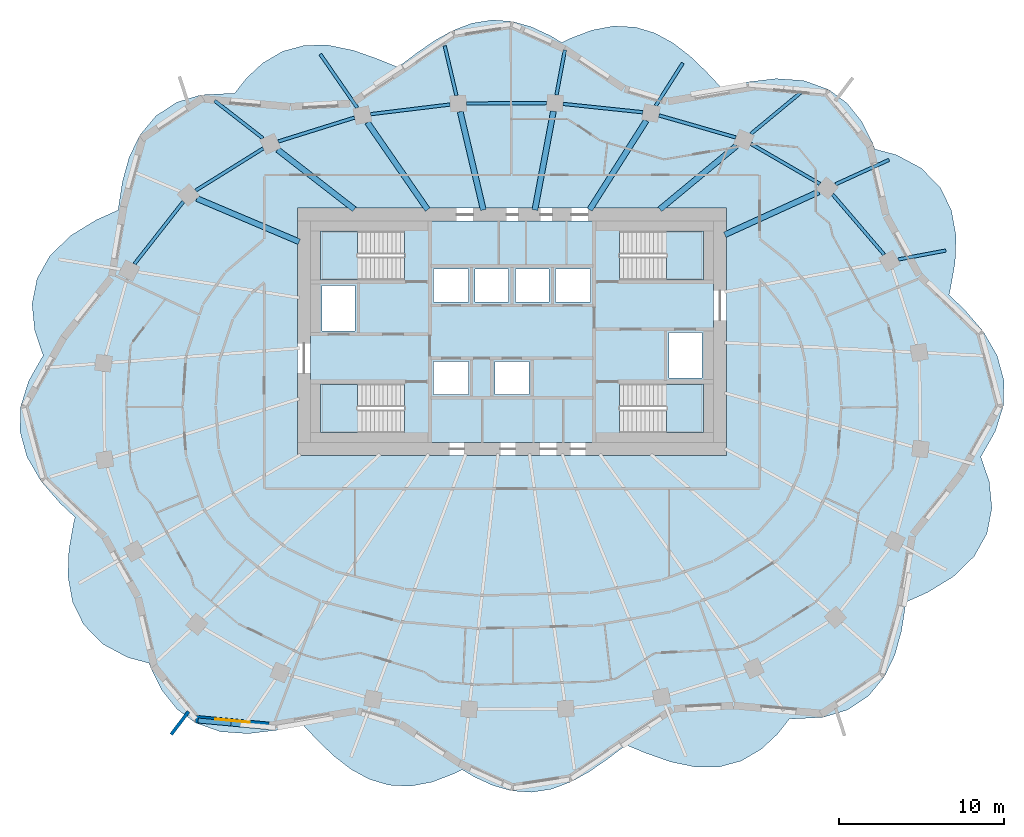
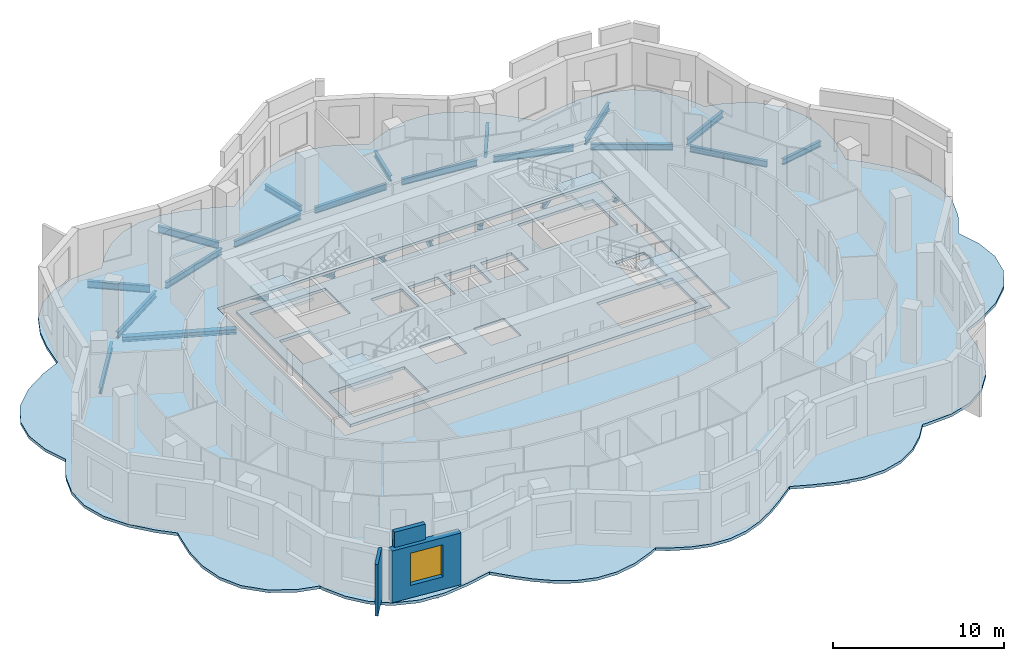
# One storey, part 2 of 11: 25 beams, 6 slabs, 3 walls, 1 window, 1 opening, 4 elements without a shape of their own.
"""IFC4 building model written with IfcOpenShell, lengths in metres."""

from ifc_helpers import new_model, si_unit, direction, frame, frame_2d, origin, origin_2d, place, context, subcontext, project, spatial, polyline, rectangle, i_section, outline, extrude, material, layer, layer_set, material_profile, profile_set, type_object, element, fill, aggregate, save


model = new_model("IFC4")

# Units and contexts
model_context = context("Model", 3, precision=1e-05, world=origin(), true_north=direction((0.0, 1.0)))
body_context = subcontext(model_context, "Body", "Model", "MODEL_VIEW")
ifc_project = project(units=[si_unit("LENGTHUNIT", "METRE"), si_unit("AREAUNIT", "SQUARE_METRE"), si_unit("VOLUMEUNIT", "CUBIC_METRE"), si_unit("PLANEANGLEUNIT", "RADIAN"), si_unit("MASSUNIT", "GRAM", prefix="KILO")], contexts=[model_context])

# Site, building, storey
site_placement = place(None, origin())
site = spatial("IfcSite", under=ifc_project, at=site_placement, CompositionType="ELEMENT")
building_placement = place(site_placement, origin())
building = spatial("IfcBuilding", under=site, at=building_placement, Name="Rubra Terraces Tower", CompositionType="ELEMENT")
storey_placement = place(building_placement, frame((0.0, 0.0, 185.699951171875)))
storey = spatial("IfcBuildingStorey", under=building, at=storey_placement, Name="L45", CompositionType="ELEMENT", Elevation=185.699951171875)

# Beams
ifc_material_1 = material(Name="Steel Q355B", Category="steel")
ifc_material_profile_1 = material_profile(ifc_material_1, i_section(OverallWidth=0.199951171875, OverallDepth=0.39990234375, WebThickness=0.008056640625, FlangeThickness=0.012939453125, at=origin_2d()), Name="HN 400x200x8x13")
ifc_profile_set_1 = profile_set([ifc_material_profile_1], Name="Steel Q355B")
beam_type_1 = type_object("IfcBeamType", Name="CANTILEVER BEAM HN 400x200x8x13", PredefinedType="BEAM", material=ifc_profile_set_1)
beam_1_placement = place(storey_placement, frame((23.39794921875, 8.884033203125, -0.39990234375), z_axis=(0.982856170911, 0.184373933356, 0.0), x_axis=(-0.184373933356, 0.982856170911, 0.0)))
element("IfcBeam", 1, at=beam_1_placement, inside=storey, type_object=beam_type_1, Name="beam-L45-cant-02", PredefinedType="BEAM", context=body_context, shape_type="SweptSolid", body=[
    extrude(i_section(OverallWidth=0.199951171875, OverallDepth=0.39990234375, WebThickness=0.008056640625, FlangeThickness=0.012939453125, at=origin_2d()), origin(), (0.0, 0.0, 1.0), 2.934326171875),
])
beam_2_placement = place(storey_placement, frame((8.7099609375, 18.201904296875, -0.39990234375), z_axis=(0.536555231363, 0.843865204696, 0.0), x_axis=(-0.843865204696, 0.536555231363, 0.0)))
element("IfcBeam", 2, at=beam_2_placement, inside=storey, type_object=beam_type_1, Name="beam-L45-cant-05", PredefinedType="BEAM", context=body_context, shape_type="SweptSolid", body=[
    extrude(i_section(OverallWidth=0.199951171875, OverallDepth=0.39990234375, WebThickness=0.008056640625, FlangeThickness=0.012939453125, at=origin_2d()), origin(), (0.0, 0.0, 1.0), 3.05859375),
])
beam_3_placement = place(storey_placement, frame((2.695068359375, 18.85400390625, -0.39990234375), z_axis=(0.18444283233, 0.982843243657, 0.0), x_axis=(-0.982843243657, 0.18444283233, 0.0)))
element("IfcBeam", 3, at=beam_3_placement, inside=storey, type_object=beam_type_1, Name="beam-L45-cant-06", PredefinedType="BEAM", context=body_context, shape_type="SweptSolid", body=[
    extrude(i_section(OverallWidth=0.199951171875, OverallDepth=0.39990234375, WebThickness=0.008056640625, FlangeThickness=0.012939453125, at=origin_2d()), origin(), (0.0, 0.0, 1.0), 2.7705078125),
])
beam_4_placement = place(storey_placement, frame((-3.3701171875, 18.823974609375, -0.39990234375), z_axis=(-0.229158621159, 0.973389092988, 0.0), x_axis=(-0.973389092988, -0.229158621159, 0.0)))
element("IfcBeam", 4, at=beam_4_placement, inside=storey, type_object=beam_type_1, Name="beam-L45-cant-07", PredefinedType="BEAM", context=body_context, shape_type="SweptSolid", body=[
    extrude(i_section(OverallWidth=0.199951171875, OverallDepth=0.39990234375, WebThickness=0.008056640625, FlangeThickness=0.012939453125, at=origin_2d()), origin(), (0.0, 0.0, 1.0), 3.080078125),
])
ifc_material_profile_2 = material_profile(ifc_material_1, i_section(OverallWidth=0.198974609375, OverallDepth=0.446044921875, WebThickness=0.008056640625, FlangeThickness=0.011962890625, at=origin_2d()), Name="HN 446x199x8x12")
ifc_profile_set_2 = profile_set([ifc_material_profile_2], Name="Steel Q355B")
beam_type_2 = type_object("IfcBeamType", Name="CANTILEVER BEAM HN 446x199x8x12", PredefinedType="BEAM", material=ifc_profile_set_2)
beam_5_placement = place(storey_placement, frame((19.596923828125, 13.43896484375, -0.4228515625), z_axis=(0.909750987553, 0.415154357614, 0.0), x_axis=(-0.415154357614, 0.909750987553, 0.0)))
element("IfcBeam", 5, at=beam_5_placement, inside=storey, type_object=beam_type_2, Name="beam-L45-cant-03", PredefinedType="BEAM", context=body_context, shape_type="SweptSolid", body=[
    extrude(i_section(OverallWidth=0.198974609375, OverallDepth=0.446044921875, WebThickness=0.008056640625, FlangeThickness=0.011962890625, at=origin_2d()), origin(), (0.0, 0.0, 1.0), 3.56494140625),
])
ifc_material_profile_3 = material_profile(ifc_material_1, i_section(OverallWidth=0.198974609375, OverallDepth=0.49609375, WebThickness=0.009033203125, FlangeThickness=0.013916015625, at=origin_2d()), Name="HN 496x199x9x14")
ifc_profile_set_3 = profile_set([ifc_material_profile_3], Name="Steel Q355B")
beam_type_3 = type_object("IfcBeamType", Name="CANTILEVER BEAM HN 496x199x9x14", PredefinedType="BEAM", material=ifc_profile_set_3)
beam_6_placement = place(storey_placement, frame((14.47509765625, 16.4951171875, -0.447998046875), z_axis=(0.770112647774, 0.637907916347, 0.0), x_axis=(-0.637907916347, 0.770112647774, 0.0)))
element("IfcBeam", 6, at=beam_6_placement, inside=storey, type_object=beam_type_3, Name="beam-L45-cant-04", PredefinedType="BEAM", context=body_context, shape_type="SweptSolid", body=[
    extrude(i_section(OverallWidth=0.198974609375, OverallDepth=0.49609375, WebThickness=0.009033203125, FlangeThickness=0.013916015625, at=origin_2d()), origin(), (0.0, 0.0, 1.0), 3.949951171875),
])
beam_7_placement = place(storey_placement, frame((-9.3701171875, 18.070068359375, -0.447998046875), z_axis=(-0.568216621414, 0.822879013676, 0.0), x_axis=(-0.822879013676, -0.568216621414, 0.0)))
element("IfcBeam", 7, at=beam_7_placement, inside=storey, type_object=beam_type_3, Name="beam-L45-cant-08", PredefinedType="BEAM", context=body_context, shape_type="SweptSolid", body=[
    extrude(i_section(OverallWidth=0.198974609375, OverallDepth=0.49609375, WebThickness=0.009033203125, FlangeThickness=0.013916015625, at=origin_2d()), origin(), (0.0, 0.0, 1.0), 3.95068359375),
])
beam_8_placement = place(storey_placement, frame((-15.087890625, 16.22705078125, -0.447998046875), z_axis=(-0.789596931968, 0.613625851009, 0.0), x_axis=(-0.613625851009, -0.789596931968, 0.0)))
element("IfcBeam", 8, at=beam_8_placement, inside=storey, type_object=beam_type_3, Name="beam-L45-cant-09", PredefinedType="BEAM", context=body_context, shape_type="SweptSolid", body=[
    extrude(i_section(OverallWidth=0.198974609375, OverallDepth=0.49609375, WebThickness=0.009033203125, FlangeThickness=0.013916015625, at=origin_2d()), origin(), (0.0, 0.0, 1.0), 3.705810546875),
])
ifc_material_profile_4 = material_profile(ifc_material_1, i_section(OverallWidth=0.35009765625, OverallDepth=0.35009765625, WebThickness=0.011962890625, FlangeThickness=0.01904296875, at=origin_2d()), Name="HW 350x350x12x19")
ifc_profile_set_4 = profile_set([ifc_material_profile_4], Name="Steel Q355B")
beam_type_4 = type_object("IfcBeamType", Name="FLOOR BEAM HW 350x350x12x19", PredefinedType="BEAM", material=ifc_profile_set_4)
beam_9_placement = place(storey_placement, frame((18.5869140625, 12.97900390625, -0.375), z_axis=(-0.909756526533, -0.415142219523, 0.0), x_axis=(0.415142219523, -0.909756526533, 0.0)))
element("IfcBeam", 9, at=beam_9_placement, inside=storey, type_object=beam_type_4, Name="beam-L45-floor-03", PredefinedType="BEAM", context=body_context, shape_type="SweptSolid", body=[
    extrude(i_section(OverallWidth=0.35009765625, OverallDepth=0.35009765625, WebThickness=0.011962890625, FlangeThickness=0.01904296875, at=origin_2d()), origin(), (0.0, 0.0, 1.0), 6.2607421875),
])
beam_10_placement = place(storey_placement, frame((13.60888671875, 15.777099609375, -0.375), z_axis=(-0.769987518392, -0.638058948312, 0.0), x_axis=(0.638058948312, -0.769987518392, 0.0)))
element("IfcBeam", 10, at=beam_10_placement, inside=storey, type_object=beam_type_4, Name="beam-L45-floor-04", PredefinedType="BEAM", context=body_context, shape_type="SweptSolid", body=[
    extrude(i_section(OverallWidth=0.35009765625, OverallDepth=0.35009765625, WebThickness=0.011962890625, FlangeThickness=0.01904296875, at=origin_2d()), origin(), (0.0, 0.0, 1.0), 6.040283203125),
])
beam_11_placement = place(storey_placement, frame((8.134033203125, 17.2958984375, -0.375), z_axis=(-0.536509861106, -0.843894050776, 0.0), x_axis=(0.843894050776, -0.536509861106, 0.0)))
element("IfcBeam", 11, at=beam_11_placement, inside=storey, type_object=beam_type_4, Name="beam-L45-floor-05", PredefinedType="BEAM", context=body_context, shape_type="SweptSolid", body=[
    extrude(i_section(OverallWidth=0.35009765625, OverallDepth=0.35009765625, WebThickness=0.011962890625, FlangeThickness=0.01904296875, at=origin_2d()), origin(), (0.0, 0.0, 1.0), 6.395263671875),
])
beam_12_placement = place(storey_placement, frame((2.509033203125, 17.862060546875, -0.375), z_axis=(-0.184574398021, -0.982818544593, 0.0), x_axis=(0.982818544593, -0.184574398021, 0.0)))
element("IfcBeam", 12, at=beam_12_placement, inside=storey, type_object=beam_type_4, Name="beam-L45-floor-06", PredefinedType="BEAM", context=body_context, shape_type="SweptSolid", body=[
    extrude(i_section(OverallWidth=0.35009765625, OverallDepth=0.35009765625, WebThickness=0.011962890625, FlangeThickness=0.01904296875, at=origin_2d()), origin(), (0.0, 0.0, 1.0), 6.08447265625),
])
beam_13_placement = place(storey_placement, frame((-3.137939453125, 17.8359375, -0.375), z_axis=(0.229070485592, -0.973409837957, 0.0), x_axis=(0.973409837957, 0.229070485592, 0.0)))
element("IfcBeam", 13, at=beam_13_placement, inside=storey, type_object=beam_type_4, Name="beam-L45-floor-07", PredefinedType="BEAM", context=body_context, shape_type="SweptSolid", body=[
    extrude(i_section(OverallWidth=0.35009765625, OverallDepth=0.35009765625, WebThickness=0.011962890625, FlangeThickness=0.01904296875, at=origin_2d()), origin(), (0.0, 0.0, 1.0), 6.115478515625),
])
beam_14_placement = place(storey_placement, frame((-8.756103515625, 17.179931640625, -0.375), z_axis=(0.568186422001, -0.822899866238, 0.0), x_axis=(0.822899866238, 0.568186422001, 0.0)))
element("IfcBeam", 14, at=beam_14_placement, inside=storey, type_object=beam_type_4, Name="beam-L45-floor-08", PredefinedType="BEAM", context=body_context, shape_type="SweptSolid", body=[
    extrude(i_section(OverallWidth=0.35009765625, OverallDepth=0.35009765625, WebThickness=0.011962890625, FlangeThickness=0.01904296875, at=origin_2d()), origin(), (0.0, 0.0, 1.0), 6.415283203125),
])
beam_15_placement = place(storey_placement, frame((-14.197998046875, 15.534912109375, -0.375), z_axis=(0.789548898228, -0.613687654517, 0.0), x_axis=(0.613687654517, 0.789548898228, 0.0)))
element("IfcBeam", 15, at=beam_15_placement, inside=storey, type_object=beam_type_4, Name="beam-L45-floor-09", PredefinedType="BEAM", context=body_context, shape_type="SweptSolid", body=[
    extrude(i_section(OverallWidth=0.35009765625, OverallDepth=0.35009765625, WebThickness=0.011962890625, FlangeThickness=0.01904296875, at=origin_2d()), origin(), (0.0, 0.0, 1.0), 5.880615234375),
])
beam_16_placement = place(storey_placement, frame((-19.083984375, 12.574951171875, -0.375), z_axis=(0.92097476483, -0.38962223056, 0.0), x_axis=(0.38962223056, 0.92097476483, 0.0)))
element("IfcBeam", 16, at=beam_16_placement, inside=storey, type_object=beam_type_4, Name="beam-L45-floor-10", PredefinedType="BEAM", context=body_context, shape_type="SweptSolid", body=[
    extrude(i_section(OverallWidth=0.35009765625, OverallDepth=0.35009765625, WebThickness=0.011962890625, FlangeThickness=0.01904296875, at=origin_2d()), origin(), (0.0, 0.0, 1.0), 6.7265625),
])
ifc_material_profile_5 = material_profile(ifc_material_1, i_section(OverallWidth=0.198974609375, OverallDepth=0.446044921875, WebThickness=0.008056640625, FlangeThickness=0.011962890625, at=origin_2d()), Name="HN 446x199x8x12")
ifc_profile_set_5 = profile_set([ifc_material_profile_5], Name="Steel Q355B")
beam_type_5 = type_object("IfcBeamType", Name="SPANDREL BEAM HN 446x199x8x12", PredefinedType="SPANDREL", material=ifc_profile_set_5)
beam_17_placement = place(storey_placement, frame((22.547119140625, 9.174072265625, -0.4228515625), z_axis=(-0.650372836218, 0.759615148552, 0.0), x_axis=(-0.759615148552, -0.650372836218, 0.0)))
element("IfcBeam", 17, at=beam_17_placement, inside=storey, type_object=beam_type_5, Name="beam-L45-spandrel-02", PredefinedType="SPANDREL", context=body_context, shape_type="SweptSolid", body=[
    extrude(i_section(OverallWidth=0.198974609375, OverallDepth=0.446044921875, WebThickness=0.008056640625, FlangeThickness=0.011962890625, at=origin_2d()), origin(), (0.0, 0.0, 1.0), 4.804931640625),
])
beam_18_placement = place(storey_placement, frame((18.653076171875, 13.462890625, -0.4228515625), z_axis=(-0.865153680787, 0.501506838059, 0.0), x_axis=(-0.501506838059, -0.865153680787, 0.0)))
element("IfcBeam", 18, at=beam_18_placement, inside=storey, type_object=beam_type_5, Name="beam-L45-spandrel-03", PredefinedType="SPANDREL", context=body_context, shape_type="SweptSolid", body=[
    extrude(i_section(OverallWidth=0.198974609375, OverallDepth=0.446044921875, WebThickness=0.008056640625, FlangeThickness=0.011962890625, at=origin_2d()), origin(), (0.0, 0.0, 1.0), 4.82568359375),
])
beam_19_placement = place(storey_placement, frame((13.55810546875, 16.27490234375, -0.4228515625), z_axis=(-0.961171164323, 0.275952881621, 0.0), x_axis=(-0.275952881621, -0.961171164323, 0.0)))
element("IfcBeam", 19, at=beam_19_placement, inside=storey, type_object=beam_type_5, Name="beam-L45-spandrel-04", PredefinedType="SPANDREL", context=body_context, shape_type="SweptSolid", body=[
    extrude(i_section(OverallWidth=0.198974609375, OverallDepth=0.446044921875, WebThickness=0.008056640625, FlangeThickness=0.011962890625, at=origin_2d()), origin(), (0.0, 0.0, 1.0), 4.842041015625),
])
beam_20_placement = place(storey_placement, frame((7.923095703125, 17.801025390625, -0.4228515625), z_axis=(-0.994565426955, 0.104113454971, 0.0), x_axis=(-0.104113454971, -0.994565426955, 0.0)))
element("IfcBeam", 20, at=beam_20_placement, inside=storey, type_object=beam_type_5, Name="beam-L45-spandrel-05", PredefinedType="SPANDREL", context=body_context, shape_type="SweptSolid", body=[
    extrude(i_section(OverallWidth=0.198974609375, OverallDepth=0.446044921875, WebThickness=0.008056640625, FlangeThickness=0.011962890625, at=origin_2d()), origin(), (0.0, 0.0, 1.0), 4.849365234375),
])
beam_21_placement = place(storey_placement, frame((2.10107421875, 18.35595703125, -0.4228515625), z_axis=(-0.999987852299, -0.004929021704, 0.0), x_axis=(0.004929021704, -0.999987852299, 0.0)))
element("IfcBeam", 21, at=beam_21_placement, inside=storey, type_object=beam_type_5, Name="beam-L45-spandrel-06", PredefinedType="SPANDREL", context=body_context, shape_type="SweptSolid", body=[
    extrude(i_section(OverallWidth=0.198974609375, OverallDepth=0.446044921875, WebThickness=0.008056640625, FlangeThickness=0.011962890625, at=origin_2d()), origin(), (0.0, 0.0, 1.0), 4.85400390625),
])
beam_22_placement = place(storey_placement, frame((-3.7509765625, 18.27001953125, -0.4228515625), z_axis=(-0.992698018573, -0.120626049929, 0.0), x_axis=(0.120626049929, -0.992698018573, 0.0)))
element("IfcBeam", 22, at=beam_22_placement, inside=storey, type_object=beam_type_5, Name="beam-L45-spandrel-07", PredefinedType="SPANDREL", context=body_context, shape_type="SweptSolid", body=[
    extrude(i_section(OverallWidth=0.198974609375, OverallDepth=0.446044921875, WebThickness=0.008056640625, FlangeThickness=0.011962890625, at=origin_2d()), origin(), (0.0, 0.0, 1.0), 4.849365234375),
])
beam_23_placement = place(storey_placement, frame((-9.5419921875, 17.47509765625, -0.4228515625), z_axis=(-0.954462027342, -0.298332429282, 0.0), x_axis=(0.298332429282, -0.954462027342, 0.0)))
element("IfcBeam", 23, at=beam_23_placement, inside=storey, type_object=beam_type_5, Name="beam-L45-spandrel-08", PredefinedType="SPANDREL", context=body_context, shape_type="SweptSolid", body=[
    extrude(i_section(OverallWidth=0.198974609375, OverallDepth=0.446044921875, WebThickness=0.008056640625, FlangeThickness=0.011962890625, at=origin_2d()), origin(), (0.0, 0.0, 1.0), 4.840576171875),
])
beam_24_placement = place(storey_placement, frame((-15.071044921875, 15.614013671875, -0.4228515625), z_axis=(-0.848183088492, -0.529703170083, 0.0), x_axis=(0.529703170083, -0.848183088492, 0.0)))
element("IfcBeam", 24, at=beam_24_placement, inside=storey, type_object=beam_type_5, Name="beam-L45-spandrel-09", PredefinedType="SPANDREL", context=body_context, shape_type="SweptSolid", body=[
    extrude(i_section(OverallWidth=0.198974609375, OverallDepth=0.446044921875, WebThickness=0.008056640625, FlangeThickness=0.011962890625, at=origin_2d()), origin(), (0.0, 0.0, 1.0), 4.8232421875),
])
beam_25_placement = place(storey_placement, frame((-19.906005859375, 12.39111328125, -0.4228515625), z_axis=(-0.617060338015, -0.786915840004, 0.0), x_axis=(0.786915840004, -0.617060338015, 0.0)))
element("IfcBeam", 25, at=beam_25_placement, inside=storey, type_object=beam_type_5, Name="beam-L45-spandrel-10", PredefinedType="SPANDREL", context=body_context, shape_type="SweptSolid", body=[
    extrude(i_section(OverallWidth=0.198974609375, OverallDepth=0.446044921875, WebThickness=0.008056640625, FlangeThickness=0.011962890625, at=origin_2d()), origin(), (0.0, 0.0, 1.0), 4.8037109375),
])

# Slab
ifc_material_2 = material(Name="Concrete C40", Category="concrete")
ifc_layer_1 = layer(ifc_material_2, 0.199951171875)
ifc_layer_set_1 = layer_set([ifc_layer_1], Name="Concrete C40")
slab_type_1 = type_object("IfcSlabType", Name="Core floor slab 200 concrete", PredefinedType="FLOOR", material=ifc_layer_set_1)
slab_1_placement = place(storey_placement, frame((0.0, 0.0, -0.199951171875)))
element("IfcSlab", 26, at=slab_1_placement, inside=storey, type_object=slab_type_1, Name="CORE FLOOR SLAB L45", PredefinedType="FLOOR", context=body_context, shape_type="SweptSolid", body=[
    extrude(outline(polyline([(-12.199951171875, -2.199951171875), (-12.199951171875, 11.199951171875), (12.199951171875, 11.199951171875), (12.199951171875, -2.199951171875), (-12.199951171875, -2.199951171875)]), holes=[polyline([(11.597900390625, 1.347900390625), (6.501953125, 1.347900390625), (6.501953125, -1.597900390625), (11.597900390625, -1.597900390625), (11.597900390625, 1.347900390625)]), polyline([(11.597900390625, 7.652099609375), (11.597900390625, 10.597900390625), (6.501953125, 10.597900390625), (6.501953125, 7.652099609375), (11.597900390625, 7.652099609375)]), polyline([(9.5, 1.699951171875), (11.5, 1.699951171875), (11.5, 4.449951171875), (9.5, 4.449951171875), (9.5, 1.699951171875)]), polyline([(4.75, 6.300048828125), (4.75, 8.300048828125), (2.64990234375, 8.300048828125), (2.64990234375, 6.300048828125), (4.75, 6.300048828125)]), polyline([(2.25, 8.300048828125), (0.199951171875, 8.300048828125), (0.199951171875, 6.300048828125), (2.25, 6.300048828125), (2.25, 8.300048828125)]), polyline([(1.02490234375, 0.699951171875), (1.02490234375, 2.699951171875), (-1.02490234375, 2.699951171875), (-1.02490234375, 0.699951171875), (1.02490234375, 0.699951171875)]), polyline([(-0.199951171875, 6.300048828125), (-0.199951171875, 8.300048828125), (-2.25, 8.300048828125), (-2.25, 6.300048828125), (-0.199951171875, 6.300048828125)]), polyline([(-4.75, 8.300048828125), (-4.75, 6.300048828125), (-2.64990234375, 6.300048828125), (-2.64990234375, 8.300048828125), (-4.75, 8.300048828125)]), polyline([(-2.64990234375, 0.699951171875), (-2.64990234375, 2.699951171875), (-4.75, 2.699951171875), (-4.75, 0.699951171875), (-2.64990234375, 0.699951171875)]), polyline([(-11.597900390625, -1.597900390625), (-6.501953125, -1.597900390625), (-6.501953125, 1.347900390625), (-11.597900390625, 1.347900390625), (-11.597900390625, -1.597900390625)]), polyline([(-11.597900390625, 10.597900390625), (-11.597900390625, 7.652099609375), (-6.501953125, 7.652099609375), (-6.501953125, 10.597900390625), (-11.597900390625, 10.597900390625)]), polyline([(-9.5, 4.550048828125), (-9.5, 7.300048828125), (-11.5, 7.300048828125), (-11.5, 4.550048828125), (-9.5, 4.550048828125)])]), origin(), (0.0, 0.0, 1.0), 0.199951171875),
])

# Stair, slab
stair_type = type_object("IfcStairType", Name="Core stair 1400", PredefinedType="HALF_TURN_STAIR", material=ifc_material_2)
stair_1_placement = place(storey_placement, origin())
stair_1 = element("IfcStair", 27, at=stair_1_placement, inside=storey, type_object=stair_type, Name="L45 Exit stair S1", PredefinedType="HALF_TURN_STAIR")
ifc_layer_2 = layer(ifc_material_2, 0.199951171875)
ifc_layer_set_2 = layer_set([ifc_layer_2], Name="Concrete C40")
slab_type_2 = type_object("IfcSlabType", Name="Core stair landing 200", PredefinedType="LANDING", material=ifc_layer_set_2)
slab_2_placement = place(storey_placement, frame((0.0, 0.0, 1.75)))
slab_2 = element("IfcSlab", 28, at=slab_2_placement, type_object=slab_type_2, Name="S1 landing 1", PredefinedType="LANDING", context=body_context, shape_type="SweptSolid", body=[
    extrude(outline(polyline([(-8.97998046875, -0.199951171875), (-8.97998046875, -1.60009765625), (-9.360107421875, -1.60009765625), (-9.3798828125, -1.60009765625), (-11.60009765625, -1.60009765625), (-11.60009765625, 1.35009765625), (-9.3798828125, 1.35009765625), (-9.35791015625, 1.35009765625), (-9.35791015625, -0.050048828125), (-9.360107421875, -0.050048828125), (-9.360107421875, -0.199951171875), (-8.97998046875, -0.199951171875)])), origin(), (0.0, 0.0, 1.0), 0.199951171875),
])
aggregate(stair_1, [slab_2])

stair_2_placement = place(storey_placement, origin())
stair_2 = element("IfcStair", 29, at=stair_2_placement, inside=storey, type_object=stair_type, Name="L45 Exit stair S2", PredefinedType="HALF_TURN_STAIR")
slab_3_placement = place(storey_placement, frame((0.0, 0.0, 1.75)))
slab_3 = element("IfcSlab", 30, at=slab_3_placement, type_object=slab_type_2, Name="S2 landing 1", PredefinedType="LANDING", context=body_context, shape_type="SweptSolid", body=[
    extrude(outline(polyline([(-8.97998046875, 9.050048828125), (-8.97998046875, 7.64990234375), (-9.3798828125, 7.64990234375), (-11.60009765625, 7.64990234375), (-11.60009765625, 10.60009765625), (-9.3798828125, 10.60009765625), (-9.360107421875, 10.60009765625), (-9.35791015625, 10.60009765625), (-9.35791015625, 9.199951171875), (-9.360107421875, 9.199951171875), (-9.360107421875, 9.050048828125), (-8.97998046875, 9.050048828125)])), origin(), (0.0, 0.0, 1.0), 0.199951171875),
])
aggregate(stair_2, [slab_3])

stair_3_placement = place(storey_placement, origin())
stair_3 = element("IfcStair", 31, at=stair_3_placement, inside=storey, type_object=stair_type, Name="L45 Exit stair S3", PredefinedType="HALF_TURN_STAIR")
slab_4_placement = place(storey_placement, frame((0.0, 0.0, 1.75)))
slab_4 = element("IfcSlab", 32, at=slab_4_placement, type_object=slab_type_2, Name="S3 landing 1", PredefinedType="LANDING", context=body_context, shape_type="SweptSolid", body=[
    extrude(outline(polyline([(9.360107421875, 9.050048828125), (9.360107421875, 9.199951171875), (8.97998046875, 9.199951171875), (8.97998046875, 10.60009765625), (9.360107421875, 10.60009765625), (9.3798828125, 10.60009765625), (11.60009765625, 10.60009765625), (11.60009765625, 7.64990234375), (9.3798828125, 7.64990234375), (9.35791015625, 7.64990234375), (9.35791015625, 9.050048828125), (9.360107421875, 9.050048828125)])), origin(), (0.0, 0.0, 1.0), 0.199951171875),
])
aggregate(stair_3, [slab_4])

stair_4_placement = place(storey_placement, origin())
stair_4 = element("IfcStair", 33, at=stair_4_placement, inside=storey, type_object=stair_type, Name="L45 Exit stair S4", PredefinedType="HALF_TURN_STAIR")
slab_5_placement = place(storey_placement, frame((0.0, 0.0, 1.75)))
slab_5 = element("IfcSlab", 34, at=slab_5_placement, type_object=slab_type_2, Name="S4 landing 1", PredefinedType="LANDING", context=body_context, shape_type="SweptSolid", body=[
    extrude(outline(polyline([(9.360107421875, -0.199951171875), (9.360107421875, -0.050048828125), (8.97998046875, -0.050048828125), (8.97998046875, 1.35009765625), (9.360107421875, 1.35009765625), (9.3798828125, 1.35009765625), (11.60009765625, 1.35009765625), (11.60009765625, -1.60009765625), (9.3798828125, -1.60009765625), (9.360107421875, -1.60009765625), (9.35791015625, -1.60009765625), (9.35791015625, -0.199951171875), (9.360107421875, -0.199951171875)])), origin(), (0.0, 0.0, 1.0), 0.199951171875),
])
aggregate(stair_4, [slab_5])

# Slab
ifc_layer_3 = layer(ifc_material_2, 0.199951171875)
ifc_layer_set_3 = layer_set([ifc_layer_3], Name="Concrete C40")
slab_type_3 = type_object("IfcSlabType", Name="FLOOR SLAB 200 COMPOSITE", PredefinedType="FLOOR", material=ifc_layer_set_3)
slab_6_placement = place(storey_placement, frame((0.0, 0.0, -0.199951171875)))
element("IfcSlab", 35, at=slab_6_placement, inside=storey, type_object=slab_type_3, Name="FLOOR SLAB L45", PredefinedType="FLOOR", context=body_context, shape_type="SweptSolid", body=[
    extrude(outline(polyline([(23.280029296875, 15.22412109375), (21.97509765625, 15.571044921875), (21.8701171875, 15.889892578125), (21.199951171875, 17.222900390625), (20.301025390625, 18.346923828125), (19.179931640625, 19.179931640625), (17.657958984375, 19.72412109375), (15.985107421875, 19.839111328125), (14.263916015625, 19.633056640625), (12.676025390625, 19.2939453125), (12.596923828125, 19.3779296875), (11.72509765625, 20.303955078125), (10.798095703125, 21.19189453125), (9.7509765625, 22.001953125), (8.634033203125, 22.60888671875), (7.4599609375, 22.958984375), (6.156982421875, 23.02197265625), (4.837890625, 22.77490234375), (3.528076171875, 22.27490234375), (3.02392578125, 22.01708984375), (2.31591796875, 22.444091796875), (1.162109375, 22.97900390625), (0.0, 23.306884765625), (-1.201904296875, 23.389892578125), (-2.408935546875, 23.197998046875), (-3.60302734375, 22.7470703125), (-4.675048828125, 22.14794921875), (-5.714111328125, 21.43408203125), (-6.718017578125, 20.675048828125), (-7.68701171875, 19.948974609375), (-6.9130859375, 20.529052734375), (-8.09912109375, 21.01806640625), (-9.613037109375, 21.552001953125), (-11.14208984375, 21.866943359375), (-12.552978515625, 21.85595703125), (-13.886962890625, 21.4951171875), (-15.10009765625, 20.782958984375), (-16.069091796875, 19.883056640625), (-16.824951171875, 18.924072265625), (-15.18798828125, 18.7509765625), (-17.028076171875, 18.945068359375), (-18.85009765625, 18.85009765625), (-20.320068359375, 18.403076171875), (-21.5791015625, 17.572998046875), (-22.55908203125, 16.389892578125), (-23.196044921875, 15.06103515625), (-23.595947265625, 13.60791015625), (-23.824951171875, 12.139892578125), (-23.85400390625, 11.8759765625), (-25.175048828125, 11.283935546875), (-26.72509765625, 10.337890625), (-28.0, 9.097900390625), (-28.77099609375, 7.715087890625), (-29.072021484375, 6.176025390625), (-28.912109375, 4.5791015625), (-28.39599609375, 3.05810546875), (-28.449951171875, 2.988037109375), (-29.281982421875, 1.51904296875), (-29.757080078125, 0.0), (-29.802978515625, -1.535888671875), (-29.383056640625, -3.072021484375), (-28.547119140625, -4.52099609375), (-27.39111328125, -5.866943359375), (-26.471923828125, -6.73095703125), (-26.551025390625, -7.068115234375), (-26.843994140625, -8.721923828125), (-26.89794921875, -10.322021484375), (-26.618896484375, -11.860107421875), (-25.9541015625, -13.22412109375), (-24.791015625, -14.4169921875), (-23.280029296875, -15.22412109375), (-21.97509765625, -15.571044921875), (-21.8701171875, -15.889892578125), (-21.199951171875, -17.222900390625), (-20.301025390625, -18.346923828125), (-19.179931640625, -19.179931640625), (-17.657958984375, -19.72412109375), (-15.985107421875, -19.839111328125), (-14.263916015625, -19.633056640625), (-12.676025390625, -19.2939453125), (-12.596923828125, -19.3779296875), (-11.72509765625, -20.303955078125), (-10.798095703125, -21.19189453125), (-9.7509765625, -22.001953125), (-8.634033203125, -22.60888671875), (-7.4599609375, -22.958984375), (-6.156982421875, -23.02197265625), (-4.837890625, -22.77490234375), (-3.528076171875, -22.27490234375), (-3.02392578125, -22.01708984375), (-2.31591796875, -22.444091796875), (-1.162109375, -22.97900390625), (0.0, -23.306884765625), (1.201904296875, -23.389892578125), (2.408935546875, -23.197998046875), (3.60302734375, -22.7470703125), (4.675048828125, -22.14794921875), (5.714111328125, -21.43408203125), (6.718017578125, -20.675048828125), (7.68701171875, -19.948974609375), (6.9130859375, -20.529052734375), (8.09912109375, -21.01806640625), (9.613037109375, -21.552001953125), (11.14208984375, -21.866943359375), (12.552978515625, -21.85595703125), (13.886962890625, -21.4951171875), (15.10009765625, -20.782958984375), (16.069091796875, -19.883056640625), (16.824951171875, -18.924072265625), (15.18798828125, -18.7509765625), (17.028076171875, -18.945068359375), (18.85009765625, -18.85009765625), (20.320068359375, -18.403076171875), (21.5791015625, -17.572998046875), (22.55908203125, -16.389892578125), (23.196044921875, -15.06103515625), (23.595947265625, -13.60791015625), (23.824951171875, -12.139892578125), (23.85400390625, -11.8759765625), (25.175048828125, -11.283935546875), (26.72509765625, -10.337890625), (28.0, -9.097900390625), (28.77099609375, -7.715087890625), (29.072021484375, -6.176025390625), (28.912109375, -4.5791015625), (28.39599609375, -3.05810546875), (28.449951171875, -2.988037109375), (29.281982421875, -1.51904296875), (29.757080078125, 0.0), (29.802978515625, 1.535888671875), (29.383056640625, 3.072021484375), (28.547119140625, 4.52099609375), (27.39111328125, 5.866943359375), (26.471923828125, 6.73095703125), (26.551025390625, 7.068115234375), (26.843994140625, 8.721923828125), (26.89794921875, 10.322021484375), (26.618896484375, 11.860107421875), (25.9541015625, 13.22412109375), (24.791015625, 14.4169921875), (23.280029296875, 15.22412109375)]), holes=[polyline([(13.0, 12.0), (13.0, -3.0), (-13.0, -3.0), (-13.0, 12.0), (13.0, 12.0)])]), origin(), (0.0, 0.0, 1.0), 0.199951171875),
])

# Wall, opening, window
ifc_material_3 = material(Name="Brick masonry red-brown", Category="masonry")
ifc_layer_4 = layer(ifc_material_3, 0.449951171875)
ifc_layer_set_4 = layer_set([ifc_layer_4], Name="Brick masonry red-brown")
wall_type_1 = type_object("IfcWallType", Name="Brick facade wall 450", PredefinedType="SOLIDWALL", material=ifc_layer_set_4)
wall_1_placement = place(storey_placement, frame((-19.1591796875, -18.955810546875, 0.0), z_axis=(0.0, 0.0, 1.0), x_axis=(0.995777399421, -0.091800712424, 0.0)))
wall_1 = element("IfcWall", 36, at=wall_1_placement, inside=storey, type_object=wall_type_1, Name="Facade wall L45 bay 26", PredefinedType="SOLIDWALL", context=body_context, shape_type="SweptSolid", body=[
    extrude(rectangle(XDim=4.45458984375, YDim=0.449951171875, at=frame_2d((2.227294921875, 0.0))), origin(), (0.0, 0.0, 1.0), 3.699951171875),
])
opening_placement = place(wall_1_placement, frame((1.177490234375, 0.0, 0.89990234375)))
opening = element("IfcOpeningElement", 37, at=opening_placement, cuts=wall_1, Name="Opening W1B", PredefinedType="OPENING", context=body_context, shape_type="SweptSolid", body=[
    extrude(rectangle(XDim=2.10009765625, YDim=2.300048828125, at=frame_2d((1.050048828125, 1.14990234375))), frame((0.0, 0.23486328125, 0.0), z_axis=(0.0, -1.0, 0.0), x_axis=(1.0, 0.0, 0.0)), (0.0, 0.0, 1.0), 0.469970703125),
])
ifc_material_4 = material(Name="Clear glass in aluminium frame", Category="aluminium")
window_type = type_object("IfcWindowType", Name="Fixed deep-set window tall storey 2100 x 2300", PartitioningType="SINGLE_PANEL", PredefinedType="WINDOW", material=ifc_material_4)
window_placement = place(opening_placement, origin())
window = element("IfcWindow", 38, at=window_placement, inside=storey, type_object=window_type, Name="Window L45 bay 26", OverallHeight=2.300048828125, OverallWidth=2.10009765625, PartitioningType="SINGLE_PANEL", PredefinedType="WINDOW", context=body_context, shape_type="SweptSolid", body=[
    extrude(rectangle(XDim=2.10009765625, YDim=2.300048828125, at=frame_2d((1.050048828125, 1.14990234375))), frame((0.0, 0.135009765625, 0.0), z_axis=(0.0, -1.0, 0.0), x_axis=(1.0, 0.0, 0.0)), (0.0, 0.0, 1.0), 0.06005859375),
])
fill(opening, window)

# Walls
ifc_layer_5 = layer(ifc_material_3, 0.300048828125)
ifc_layer_set_5 = layer_set([ifc_layer_5], Name="Brick masonry red-brown")
wall_type_2 = type_object("IfcWallType", Name="Brick parapet 300", PredefinedType="PARAPET", material=ifc_layer_set_5)
wall_2_placement = place(storey_placement, frame((-19.01123046875, -19.044921875, 3.900146484375), z_axis=(0.0, 0.0, 1.0), x_axis=(0.995779953678, -0.09177300176, 0.0)))
element("IfcWall", 39, at=wall_2_placement, inside=storey, type_object=wall_type_2, Name="Parapet L45 bay 26", PredefinedType="PARAPET", context=body_context, shape_type="SweptSolid", body=[
    extrude(rectangle(XDim=1.992431640625, YDim=0.300048828125, at=frame_2d((0.99609375, 0.0))), origin(), (0.0, 0.0, 1.0), 1.099853515625),
])
ifc_layer_6 = layer(ifc_material_3, 0.199951171875)
ifc_layer_set_6 = layer_set([ifc_layer_6], Name="Brick masonry red-brown")
wall_type_3 = type_object("IfcWallType", Name="Brick wind fin 200", PredefinedType="SOLIDWALL", material=ifc_layer_set_6)
wall_3_placement = place(storey_placement, frame((-19.591064453125, -18.498046875, 0.0), z_axis=(0.0, 0.0, 1.0), x_axis=(-0.603387525063, -0.797448114048, 0.0)))
element("IfcWall", 40, at=wall_3_placement, inside=storey, type_object=wall_type_3, Name="Wind fin L45 15", PredefinedType="SOLIDWALL", context=body_context, shape_type="SweptSolid", body=[
    extrude(rectangle(XDim=1.75, YDim=0.199951171875, at=frame_2d((0.875, 0.0))), origin(), (0.0, 0.0, 1.0), 3.699951171875),
])

save(model, "model.ifc")
